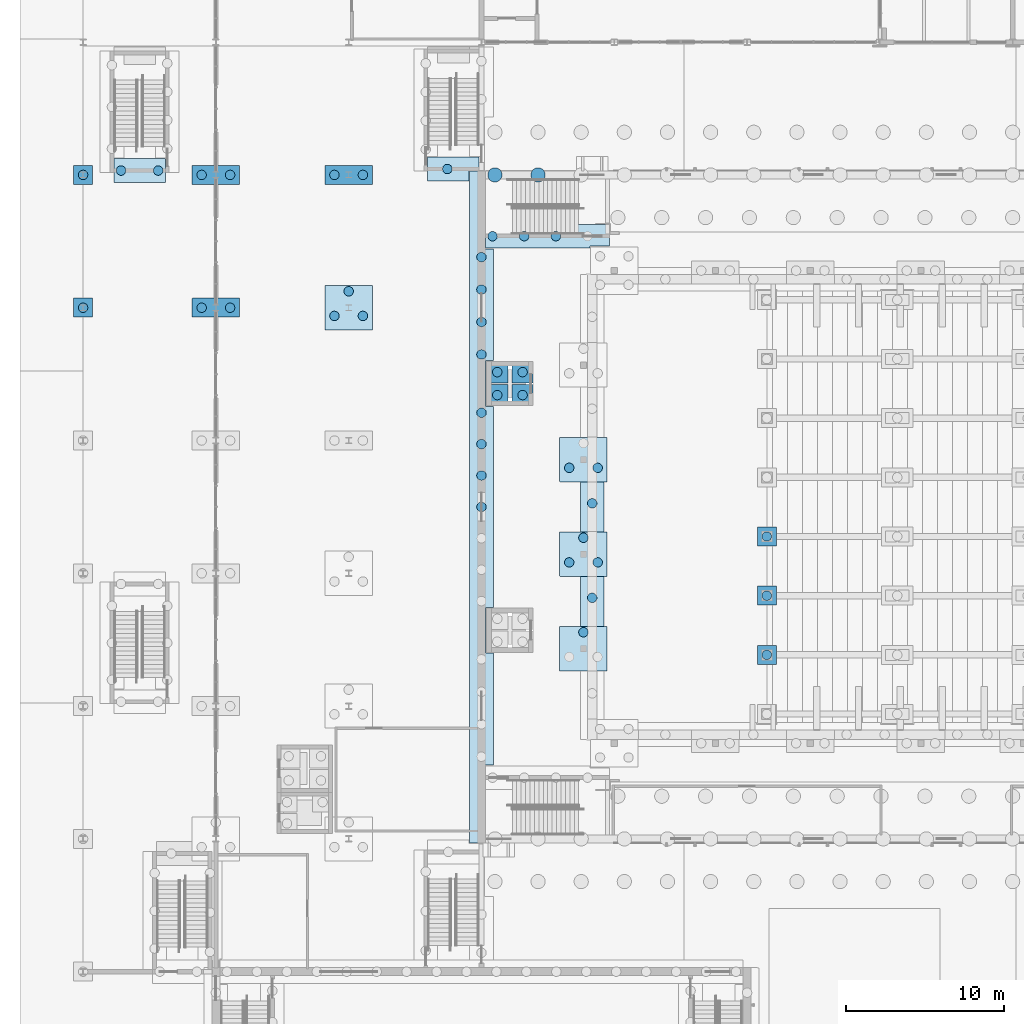
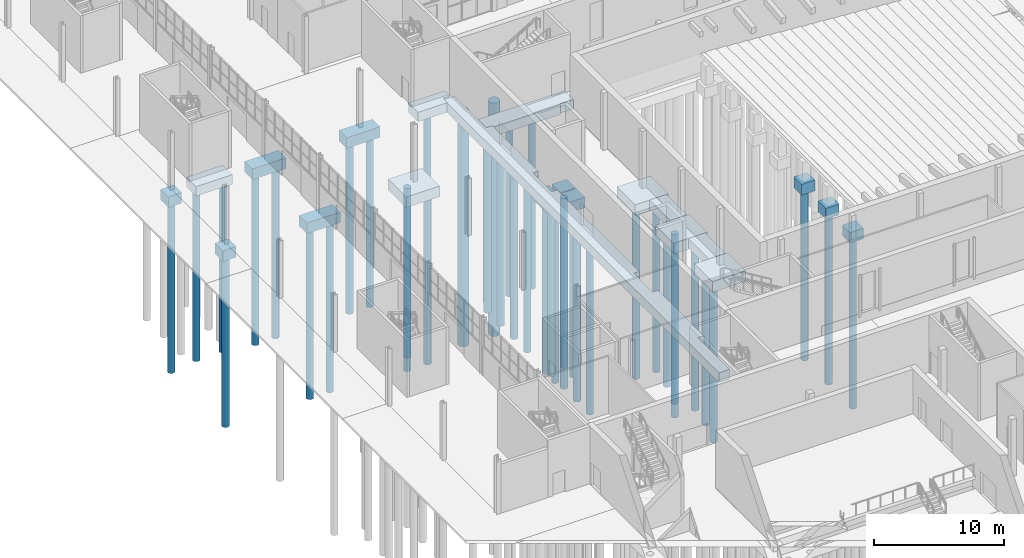
# One storey, part 10 of 127: 42 piles, 22 footings.
"""IFC4 building model written with IfcOpenShell, lengths in metres."""

from ifc_helpers import new_model, si_unit, direction, frame, origin, origin_2d, place, context, subcontext, project, spatial, polyline, circle, outline, extrude, material, layer, layer_set, material_profile, profile_set, type_object, element, save


model = new_model("IFC4")

# Units and contexts
model_context = context("Model", 3, precision=1e-05, world=origin(), true_north=direction((0.0, 1.0)))
body_context = subcontext(model_context, "Body", "Model", "MODEL_VIEW")
ifc_project = project(units=[si_unit("LENGTHUNIT", "METRE"), si_unit("AREAUNIT", "SQUARE_METRE"), si_unit("VOLUMEUNIT", "CUBIC_METRE"), si_unit("PLANEANGLEUNIT", "RADIAN"), si_unit("MASSUNIT", "GRAM", prefix="KILO")], contexts=[model_context])

# Site, building, storey
site_placement = place(None, origin())
site = spatial("IfcSite", under=ifc_project, at=site_placement, CompositionType="ELEMENT")
building_placement = place(site_placement, origin())
building = spatial("IfcBuilding", under=site, at=building_placement, Name="Ljudholm Concert House", CompositionType="ELEMENT")
storey_placement = place(building_placement, origin())
storey = spatial("IfcBuildingStorey", under=building, at=storey_placement, Name="L00", CompositionType="ELEMENT", Elevation=0.0)

# Piles
ifc_material_1 = material(Name="Concrete 5,000 psi", Category="concrete")
ifc_material_profile_1 = material_profile(ifc_material_1, circle(Radius=0.300048828125, at=origin_2d()), Name="AUGER-CAST PILE D600")
ifc_profile_set_1 = profile_set([ifc_material_profile_1], Name="Concrete 5,000 psi")
pile_type_1 = type_object("IfcPileType", Name="AUGER-CAST PILE D600", PredefinedType="BORED", material=ifc_profile_set_1)
for number, where, z_axis, x_axis, name in (
    (1, (4.0, 88.0, -1.199951171875), (0.0, 0.0, -1.0), (1.0, 0.0, 0.0), "Pile D600"),
    (2, (4.0, 96.39990234375, -1.199951171875), (0.0, 0.0, -1.0), (1.0, 0.0, 0.0), "Pile D600"),
    (3, (11.5, 88.0, -1.199951171875), (0.0, 0.0, -1.0), (1.0, 0.0, 0.0), "Pile D600"),
    (4, (13.300048828125, 88.0, -1.199951171875), (0.0, 0.0, -1.0), (1.0, 0.0, 0.0), "Pile D600"),
    (5, (11.5, 96.39990234375, -1.199951171875), (0.0, 0.0, -1.0), (1.0, 0.0, 0.0), "Pile D600"),
    (6, (13.300048828125, 96.39990234375, -1.199951171875), (0.0, 0.0, -1.0), (1.0, 0.0, 0.0), "Pile D600"),
    (7, (19.89990234375, 87.48046875, -1.199951171875), (0.0, 0.0, -1.0), (1.0, 0.0, 0.0), "Pile D600"),
    (8, (21.699951171875, 87.48046875, -1.199951171875), (0.0, 0.0, -1.0), (1.0, 0.0, 0.0), "Pile D600"),
    (9, (20.800048828125, 89.039306640625, -1.199951171875), (0.0, 0.0, -1.0), (1.0, 0.0, 0.0), "Pile D600"),
    (10, (19.89990234375, 96.39990234375, -1.199951171875), (0.0, 0.0, -1.0), (1.0, 0.0, 0.0), "Pile D600"),
    (11, (21.699951171875, 96.39990234375, -1.199951171875), (0.0, 0.0, -1.0), (1.0, 0.0, 0.0), "Pile D600"),
    (12, (35.64990234375, 67.46923828125, -1.300048828125), (0.0, 0.0, -1.0), (1.0, 0.0, 0.0), "Pile D600"),
    (13, (34.75, 71.890380859375, -1.300048828125), (0.0, 0.0, -1.0), (1.0, 0.0, 0.0), "Pile D600"),
    (14, (36.550048828125, 71.890380859375, -1.300048828125), (0.0, 0.0, -1.0), (1.0, 0.0, 0.0), "Pile D600"),
    (15, (35.64990234375, 73.44921875, -1.300048828125), (0.0, 0.0, -1.0), (1.0, 0.0, 0.0), "Pile D600"),
    (16, (34.75, 77.870361328125, -1.300048828125), (0.0, 0.0, -1.0), (1.0, 0.0, 0.0), "Pile D600"),
    (17, (36.550048828125, 77.870361328125, -1.300048828125), (0.0, 0.0, -1.0), (1.0, 0.0, 0.0), "Pile D600"),
    (18, (47.25, 66.04296875, -1.300048828125), (0.0, 0.0, -1.0), (1.0, 0.0, 0.0), "Pile D600"),
    (19, (47.25, 69.78564453125, -1.300048828125), (0.0, 0.0, -1.0), (1.0, 0.0, 0.0), "Pile D600"),
    (20, (47.25, 73.528564453125, -1.300048828125), (0.0, 0.0, -1.0), (1.0, 0.0, 0.0), "Pile D600"),
    (21, (30.199951171875, 82.47509765625, -2.89990234375), (0.0, 0.0, -1.0), (1.0, 0.0, 0.0), "Pile D600"),
    (22, (31.800048828125, 82.47509765625, -2.89990234375), (0.0, 0.0, -1.0), (1.0, 0.0, 0.0), "Pile D600"),
    (23, (30.199951171875, 83.925048828125, -2.89990234375), (0.0, 0.0, -1.0), (1.0, 0.0, 0.0), "Pile D600"),
    (24, (31.800048828125, 83.925048828125, -2.89990234375), (0.0, 0.0, -1.0), (1.0, 0.0, 0.0), "Pile D600"),
    (25, (29.89990234375, 92.52490234375, -1.39990234375), (0.0, 0.0, -1.0), (1.0, 0.0, 0.0), "Pile D600"),
    (26, (31.903564453125, 92.52490234375, -1.39990234375), (0.0, 0.0, -1.0), (1.0, 0.0, 0.0), "Pile D600"),
    (27, (33.906982421875, 92.52490234375, -1.39990234375), (0.0, 0.0, -1.0), (1.0, 0.0, 0.0), "Pile D600"),
    (28, (36.199951171875, 69.648193359375, -1.199951171875), (0.0, 0.0, -1.0), (1.0, 0.0, 0.0), "Pile D600"),
    (29, (36.199951171875, 75.628173828125, -1.199951171875), (0.0, 0.0, -1.0), (1.0, 0.0, 0.0), "Pile D600"),
    (30, (29.199951171875, 75.39990234375, -1.199951171875), (0.0, 0.0, -1.0), (1.0, 0.0, 0.0), "Pile D600"),
    (31, (29.199951171875, 77.3857421875, -1.199951171875), (0.0, 0.0, -1.0), (1.0, 0.0, 0.0), "Pile D600"),
    (32, (29.199951171875, 79.37158203125, -1.199951171875), (0.0, 0.0, -1.0), (1.0, 0.0, 0.0), "Pile D600"),
    (33, (29.199951171875, 81.357177734375, -1.199951171875), (0.0, 0.0, -1.0), (1.0, 0.0, 0.0), "Pile D600"),
    (34, (29.199951171875, 85.042724609375, -1.199951171875), (0.0, 0.0, -1.0), (1.0, 0.0, 0.0), "Pile D600"),
    (35, (29.199951171875, 87.0947265625, -1.199951171875), (0.0, 0.0, -1.0), (1.0, 0.0, 0.0), "Pile D600"),
    (36, (29.199951171875, 89.146728515625, -1.199951171875), (0.0, 0.0, -1.0), (1.0, 0.0, 0.0), "Pile D600"),
    (37, (29.199951171875, 91.198486328125, -1.199951171875), (0.0, 0.0, -1.0), (1.0, 0.0, 0.0), "Pile D600"),
    (38, (27.041015625, 96.77490234375, -1.10009765625), (0.0, 0.0, -1.0), (1.0, 0.0, 0.0), "Pile D600"),
    (39, (6.39990234375, 96.675048828125, -1.10009765625), (0.0, 0.0, -1.0), (1.0, 0.0, 0.0), "Pile D600"),
    (40, (8.75, 96.675048828125, -1.10009765625), (0.0, 0.0, -1.0), (1.0, 0.0, 0.0), "Pile D600"),
):
    element("IfcPile", number, at=place(storey_placement, frame(where, z_axis=z_axis, x_axis=x_axis)), inside=storey, type_object=pile_type_1, Name=name, PredefinedType="BORED", context=body_context, shape_type="SweptSolid", body=[
        extrude(circle(Radius=0.300048828125, at=origin_2d()), origin(), (0.0, 0.0, 1.0), 16.0),
    ])
ifc_material_2 = material(Name="Concrete 5,000 psi", Category="concrete")
ifc_material_profile_2 = material_profile(ifc_material_2, circle(Radius=0.449951171875, at=origin_2d()), Name="AUGER-CAST PILE D900")
ifc_profile_set_2 = profile_set([ifc_material_profile_2], Name="Concrete 5,000 psi")
pile_type_2 = type_object("IfcPileType", Name="AUGER-CAST PILE D900", PredefinedType="BORED", material=ifc_profile_set_2)
for number, where, z_axis, x_axis, name in (
    (41, (30.050048828125, 96.39990234375, -1.699951171875), (0.0, 0.0, -1.0), (1.0, 0.0, 0.0), "Pile D900"),
    (42, (32.779052734375, 96.39990234375, -1.699951171875), (0.0, 0.0, -1.0), (1.0, 0.0, 0.0), "Pile D900"),
):
    element("IfcPile", number, at=place(storey_placement, frame(where, z_axis=z_axis, x_axis=x_axis)), inside=storey, type_object=pile_type_2, Name=name, PredefinedType="BORED", context=body_context, shape_type="SweptSolid", body=[
        extrude(circle(Radius=0.449951171875, at=origin_2d()), origin(), (0.0, 0.0, 1.0), 22.0),
    ])

# Footings
ifc_material_3 = material(Name="Concrete 5,000 psi", Category="concrete")
ifc_layer_1 = layer(ifc_material_3, 1.0)
ifc_layer_set_1 = layer_set([ifc_layer_1], Name="Concrete 5,000 psi")
footing_type_1 = type_object("IfcFootingType", Name="RC PILE CAP 1200x1200x1000", PredefinedType="PILE_CAP", material=ifc_layer_set_1)
footing_1_placement = place(storey_placement, frame((0.0, 0.0, -1.199951171875)))
element("IfcFooting", 43, at=footing_1_placement, inside=storey, type_object=footing_type_1, Name="Pile cap", PredefinedType="PILE_CAP", context=body_context, shape_type="SweptSolid", body=[
    extrude(outline(polyline([(3.409912109375, 87.39990234375), (4.590087890625, 87.39990234375), (4.59375, 87.40087890625), (4.59716796875, 87.40283203125), (4.59912109375, 87.40625), (4.60009765625, 87.409912109375), (4.60009765625, 88.590087890625), (4.59912109375, 88.59375), (4.59716796875, 88.59716796875), (4.59375, 88.59912109375), (4.590087890625, 88.60009765625), (3.409912109375, 88.60009765625), (3.40625, 88.59912109375), (3.40283203125, 88.59716796875), (3.40087890625, 88.59375), (3.39990234375, 88.590087890625), (3.39990234375, 87.409912109375), (3.40087890625, 87.40625), (3.40283203125, 87.40283203125), (3.40625, 87.40087890625), (3.409912109375, 87.39990234375)])), origin(), (0.0, 0.0, 1.0), 1.0),
])
footing_2_placement = place(storey_placement, frame((0.0, 0.0, -1.199951171875)))
element("IfcFooting", 44, at=footing_2_placement, inside=storey, type_object=footing_type_1, Name="Pile cap", PredefinedType="PILE_CAP", context=body_context, shape_type="SweptSolid", body=[
    extrude(outline(polyline([(3.39990234375, 96.989990234375), (3.39990234375, 95.81005859375), (3.40087890625, 95.80615234375), (3.40283203125, 95.802978515625), (3.40625, 95.80078125), (3.409912109375, 95.800048828125), (4.590087890625, 95.800048828125), (4.59375, 95.80078125), (4.59716796875, 95.802978515625), (4.59912109375, 95.80615234375), (4.60009765625, 95.81005859375), (4.60009765625, 96.989990234375), (4.59912109375, 96.993896484375), (4.59716796875, 96.9970703125), (4.59375, 96.999267578125), (4.590087890625, 97.0), (3.409912109375, 97.0), (3.40625, 96.999267578125), (3.40283203125, 96.9970703125), (3.40087890625, 96.993896484375), (3.39990234375, 96.989990234375)])), origin(), (0.0, 0.0, 1.0), 1.0),
])
footing_3_placement = place(storey_placement, frame((0.0, 0.0, -1.300048828125)))
element("IfcFooting", 45, at=footing_3_placement, inside=storey, type_object=footing_type_1, Name="Pile cap", PredefinedType="PILE_CAP", context=body_context, shape_type="SweptSolid", body=[
    extrude(outline(polyline([(46.659912109375, 65.44287109375), (47.840087890625, 65.44287109375), (47.84375, 65.443603515625), (47.84716796875, 65.44580078125), (47.84912109375, 65.448974609375), (47.85009765625, 65.452880859375), (47.85009765625, 66.6328125), (47.84912109375, 66.63671875), (47.84716796875, 66.639892578125), (47.84375, 66.64208984375), (47.840087890625, 66.642822265625), (46.659912109375, 66.642822265625), (46.65625, 66.64208984375), (46.65283203125, 66.639892578125), (46.65087890625, 66.63671875), (46.64990234375, 66.6328125), (46.64990234375, 65.452880859375), (46.65087890625, 65.448974609375), (46.65283203125, 65.44580078125), (46.65625, 65.443603515625), (46.659912109375, 65.44287109375)])), origin(), (0.0, 0.0, 1.0), 1.0),
])
footing_4_placement = place(storey_placement, frame((0.0, 0.0, -1.300048828125)))
element("IfcFooting", 46, at=footing_4_placement, inside=storey, type_object=footing_type_1, Name="Pile cap", PredefinedType="PILE_CAP", context=body_context, shape_type="SweptSolid", body=[
    extrude(outline(polyline([(46.659912109375, 69.185791015625), (47.840087890625, 69.185791015625), (47.84375, 69.1865234375), (47.84716796875, 69.188720703125), (47.84912109375, 69.19189453125), (47.85009765625, 69.19580078125), (47.85009765625, 70.375732421875), (47.84912109375, 70.379638671875), (47.84716796875, 70.3828125), (47.84375, 70.385009765625), (47.840087890625, 70.3857421875), (46.659912109375, 70.3857421875), (46.65625, 70.385009765625), (46.65283203125, 70.3828125), (46.65087890625, 70.379638671875), (46.64990234375, 70.375732421875), (46.64990234375, 69.19580078125), (46.65087890625, 69.19189453125), (46.65283203125, 69.188720703125), (46.65625, 69.1865234375), (46.659912109375, 69.185791015625)])), origin(), (0.0, 0.0, 1.0), 1.0),
])
footing_5_placement = place(storey_placement, frame((0.0, 0.0, -1.300048828125)))
element("IfcFooting", 47, at=footing_5_placement, inside=storey, type_object=footing_type_1, Name="Pile cap", PredefinedType="PILE_CAP", context=body_context, shape_type="SweptSolid", body=[
    extrude(outline(polyline([(46.659912109375, 72.928466796875), (47.840087890625, 72.928466796875), (47.84375, 72.929443359375), (47.84716796875, 72.931396484375), (47.84912109375, 72.934814453125), (47.85009765625, 72.9384765625), (47.85009765625, 74.11865234375), (47.84912109375, 74.122314453125), (47.84716796875, 74.125732421875), (47.84375, 74.1279296875), (47.840087890625, 74.128662109375), (46.659912109375, 74.128662109375), (46.65625, 74.1279296875), (46.65283203125, 74.125732421875), (46.65087890625, 74.122314453125), (46.64990234375, 74.11865234375), (46.64990234375, 72.9384765625), (46.65087890625, 72.934814453125), (46.65283203125, 72.931396484375), (46.65625, 72.929443359375), (46.659912109375, 72.928466796875)])), origin(), (0.0, 0.0, 1.0), 1.0),
])
ifc_material_4 = material(Name="Concrete 5,000 psi", Category="concrete")
ifc_layer_2 = layer(ifc_material_4, 1.0)
ifc_layer_set_2 = layer_set([ifc_layer_2], Name="Concrete 5,000 psi")
footing_type_2 = type_object("IfcFootingType", Name="RC PILE CAP 1350x1350x1000", PredefinedType="PILE_CAP", material=ifc_layer_set_2)
footing_6_placement = place(storey_placement, frame((0.0, 0.0, -2.89990234375)))
element("IfcFooting", 48, at=footing_6_placement, inside=storey, type_object=footing_type_2, Name="Pile cap", PredefinedType="PILE_CAP", context=body_context, shape_type="SweptSolid", body=[
    extrude(outline(polyline([(29.534912109375, 81.800048828125), (30.864990234375, 81.800048828125), (30.868896484375, 81.80078125), (30.8720703125, 81.802978515625), (30.874267578125, 81.80615234375), (30.875, 81.81005859375), (30.875, 83.139892578125), (30.874267578125, 83.143798828125), (30.8720703125, 83.14697265625), (30.868896484375, 83.149169921875), (30.864990234375, 83.14990234375), (29.534912109375, 83.14990234375), (29.53125, 83.149169921875), (29.52783203125, 83.14697265625), (29.52587890625, 83.143798828125), (29.52490234375, 83.139892578125), (29.52490234375, 81.81005859375), (29.52587890625, 81.80615234375), (29.52783203125, 81.802978515625), (29.53125, 81.80078125), (29.534912109375, 81.800048828125)])), origin(), (0.0, 0.0, 1.0), 1.0),
])
footing_7_placement = place(storey_placement, frame((0.0, 0.0, -2.89990234375)))
element("IfcFooting", 49, at=footing_7_placement, inside=storey, type_object=footing_type_2, Name="Pile cap", PredefinedType="PILE_CAP", context=body_context, shape_type="SweptSolid", body=[
    extrude(outline(polyline([(31.135009765625, 81.800048828125), (32.465087890625, 81.800048828125), (32.46875, 81.80078125), (32.47216796875, 81.802978515625), (32.47412109375, 81.80615234375), (32.47509765625, 81.81005859375), (32.47509765625, 83.139892578125), (32.47412109375, 83.143798828125), (32.47216796875, 83.14697265625), (32.46875, 83.149169921875), (32.465087890625, 83.14990234375), (31.135009765625, 83.14990234375), (31.131103515625, 83.149169921875), (31.1279296875, 83.14697265625), (31.125732421875, 83.143798828125), (31.125, 83.139892578125), (31.125, 81.81005859375), (31.125732421875, 81.80615234375), (31.1279296875, 81.802978515625), (31.131103515625, 81.80078125), (31.135009765625, 81.800048828125)])), origin(), (0.0, 0.0, 1.0), 1.0),
])
footing_8_placement = place(storey_placement, frame((0.0, 0.0, -2.89990234375)))
element("IfcFooting", 50, at=footing_8_placement, inside=storey, type_object=footing_type_2, Name="Pile cap", PredefinedType="PILE_CAP", context=body_context, shape_type="SweptSolid", body=[
    extrude(outline(polyline([(29.534912109375, 83.25), (30.864990234375, 83.25), (30.868896484375, 83.250732421875), (30.8720703125, 83.2529296875), (30.874267578125, 83.256103515625), (30.875, 83.260009765625), (30.875, 84.590087890625), (30.874267578125, 84.59375), (30.8720703125, 84.59716796875), (30.868896484375, 84.59912109375), (30.864990234375, 84.60009765625), (29.534912109375, 84.60009765625), (29.53125, 84.59912109375), (29.52783203125, 84.59716796875), (29.52587890625, 84.59375), (29.52490234375, 84.590087890625), (29.52490234375, 83.260009765625), (29.52587890625, 83.256103515625), (29.52783203125, 83.2529296875), (29.53125, 83.250732421875), (29.534912109375, 83.25)])), origin(), (0.0, 0.0, 1.0), 1.0),
])
footing_9_placement = place(storey_placement, frame((0.0, 0.0, -2.89990234375)))
element("IfcFooting", 51, at=footing_9_placement, inside=storey, type_object=footing_type_2, Name="Pile cap", PredefinedType="PILE_CAP", context=body_context, shape_type="SweptSolid", body=[
    extrude(outline(polyline([(31.135009765625, 83.25), (32.465087890625, 83.25), (32.46875, 83.250732421875), (32.47216796875, 83.2529296875), (32.47412109375, 83.256103515625), (32.47509765625, 83.260009765625), (32.47509765625, 84.590087890625), (32.47412109375, 84.59375), (32.47216796875, 84.59716796875), (32.46875, 84.59912109375), (32.465087890625, 84.60009765625), (31.135009765625, 84.60009765625), (31.131103515625, 84.59912109375), (31.1279296875, 84.59716796875), (31.125732421875, 84.59375), (31.125, 84.590087890625), (31.125, 83.260009765625), (31.125732421875, 83.256103515625), (31.1279296875, 83.2529296875), (31.131103515625, 83.250732421875), (31.135009765625, 83.25)])), origin(), (0.0, 0.0, 1.0), 1.0),
])
ifc_material_5 = material(Name="Concrete 5,000 psi", Category="concrete")
ifc_layer_3 = layer(ifc_material_5, 1.0)
ifc_layer_set_3 = layer_set([ifc_layer_3], Name="Concrete 5,000 psi")
footing_type_3 = type_object("IfcFootingType", Name="RC PILE CAP 3000x1200x1000", PredefinedType="PILE_CAP", material=ifc_layer_set_3)
footing_10_placement = place(storey_placement, frame((0.0, 0.0, -1.199951171875)))
element("IfcFooting", 52, at=footing_10_placement, inside=storey, type_object=footing_type_3, Name="Pile cap", PredefinedType="PILE_CAP", context=body_context, shape_type="SweptSolid", body=[
    extrude(outline(polyline([(10.909912109375, 87.39990234375), (13.889892578125, 87.39990234375), (13.893798828125, 87.40087890625), (13.898193359375, 87.404541015625), (13.89990234375, 87.409912109375), (13.89990234375, 88.590087890625), (13.899169921875, 88.59375), (13.8955078125, 88.598388671875), (13.889892578125, 88.60009765625), (10.909912109375, 88.60009765625), (10.90625, 88.59912109375), (10.901611328125, 88.595458984375), (10.89990234375, 88.590087890625), (10.89990234375, 87.409912109375), (10.90087890625, 87.40625), (10.90283203125, 87.40283203125), (10.90625, 87.40087890625), (10.909912109375, 87.39990234375)])), origin(), (0.0, 0.0, 1.0), 1.0),
])
footing_11_placement = place(storey_placement, frame((0.0, 0.0, -1.199951171875)))
element("IfcFooting", 53, at=footing_11_placement, inside=storey, type_object=footing_type_3, Name="Pile cap", PredefinedType="PILE_CAP", context=body_context, shape_type="SweptSolid", body=[
    extrude(outline(polyline([(10.89990234375, 96.989990234375), (10.89990234375, 95.81005859375), (10.901611328125, 95.804443359375), (10.90625, 95.80078125), (10.909912109375, 95.800048828125), (13.889892578125, 95.800048828125), (13.8955078125, 95.8017578125), (13.899169921875, 95.80615234375), (13.89990234375, 95.81005859375), (13.89990234375, 96.989990234375), (13.898193359375, 96.99560546875), (13.893798828125, 96.999267578125), (13.889892578125, 97.0), (10.909912109375, 97.0), (10.90625, 96.999267578125), (10.90283203125, 96.9970703125), (10.90087890625, 96.993896484375), (10.89990234375, 96.989990234375)])), origin(), (0.0, 0.0, 1.0), 1.0),
])
footing_12_placement = place(storey_placement, frame((0.0, 0.0, -1.199951171875)))
element("IfcFooting", 54, at=footing_12_placement, inside=storey, type_object=footing_type_3, Name="Pile cap", PredefinedType="PILE_CAP", context=body_context, shape_type="SweptSolid", body=[
    extrude(outline(polyline([(19.300048828125, 96.989990234375), (19.300048828125, 95.81005859375), (19.3017578125, 95.804443359375), (19.30615234375, 95.80078125), (19.31005859375, 95.800048828125), (22.2900390625, 95.800048828125), (22.295654296875, 95.8017578125), (22.29931640625, 95.80615234375), (22.300048828125, 95.81005859375), (22.300048828125, 96.989990234375), (22.29833984375, 96.99560546875), (22.2939453125, 96.999267578125), (22.2900390625, 97.0), (19.31005859375, 97.0), (19.30615234375, 96.999267578125), (19.302978515625, 96.9970703125), (19.30078125, 96.993896484375), (19.300048828125, 96.989990234375)])), origin(), (0.0, 0.0, 1.0), 1.0),
])
ifc_material_6 = material(Name="Concrete 5,000 psi", Category="concrete")
ifc_layer_4 = layer(ifc_material_6, 1.0)
ifc_layer_set_4 = layer_set([ifc_layer_4], Name="Concrete 5,000 psi")
footing_type_4 = type_object("IfcFootingType", Name="RC PILE CAP 3000x2800x1000", PredefinedType="PILE_CAP", material=ifc_layer_set_4)
footing_13_placement = place(storey_placement, frame((0.0, 0.0, -1.199951171875)))
element("IfcFooting", 55, at=footing_13_placement, inside=storey, type_object=footing_type_4, Name="Pile cap", PredefinedType="PILE_CAP", context=body_context, shape_type="SweptSolid", body=[
    extrude(outline(polyline([(19.31005859375, 86.60009765625), (22.2900390625, 86.60009765625), (22.2939453125, 86.600830078125), (22.297119140625, 86.60302734375), (22.29931640625, 86.606201171875), (22.300048828125, 86.610107421875), (22.300048828125, 89.389892578125), (22.29931640625, 89.393798828125), (22.297119140625, 89.39697265625), (22.2939453125, 89.399169921875), (22.2900390625, 89.39990234375), (19.31005859375, 89.39990234375), (19.30615234375, 89.399169921875), (19.302978515625, 89.39697265625), (19.30078125, 89.393798828125), (19.300048828125, 89.389892578125), (19.300048828125, 86.610107421875), (19.30078125, 86.606201171875), (19.302978515625, 86.60302734375), (19.30615234375, 86.600830078125), (19.31005859375, 86.60009765625)])), origin(), (0.0, 0.0, 1.0), 1.0),
])
footing_14_placement = place(storey_placement, frame((0.0, 0.0, -1.300048828125)))
element("IfcFooting", 56, at=footing_14_placement, inside=storey, type_object=footing_type_4, Name="Pile cap", PredefinedType="PILE_CAP", context=body_context, shape_type="SweptSolid", body=[
    extrude(outline(polyline([(34.14990234375, 67.820068359375), (34.14990234375, 65.0400390625), (34.15087890625, 65.0361328125), (34.15283203125, 65.032958984375), (34.15625, 65.03076171875), (34.159912109375, 65.030029296875), (37.139892578125, 65.030029296875), (37.143798828125, 65.03076171875), (37.14697265625, 65.032958984375), (37.149169921875, 65.0361328125), (37.14990234375, 65.0400390625), (37.14990234375, 67.820068359375), (37.149169921875, 67.82373046875), (37.14697265625, 67.8271484375), (37.143798828125, 67.829345703125), (37.139892578125, 67.830078125), (34.159912109375, 67.830078125), (34.15625, 67.829345703125), (34.15283203125, 67.8271484375), (34.15087890625, 67.82373046875), (34.14990234375, 67.820068359375)])), origin(), (0.0, 0.0, 1.0), 1.0),
])
footing_15_placement = place(storey_placement, frame((0.0, 0.0, -1.300048828125)))
element("IfcFooting", 57, at=footing_15_placement, inside=storey, type_object=footing_type_4, Name="Pile cap", PredefinedType="PILE_CAP", context=body_context, shape_type="SweptSolid", body=[
    extrude(outline(polyline([(34.159912109375, 71.010009765625), (37.139892578125, 71.010009765625), (37.143798828125, 71.0107421875), (37.14697265625, 71.012939453125), (37.149169921875, 71.01611328125), (37.14990234375, 71.02001953125), (37.14990234375, 73.800048828125), (37.149169921875, 73.8037109375), (37.14697265625, 73.80712890625), (37.143798828125, 73.809326171875), (37.139892578125, 73.81005859375), (34.159912109375, 73.81005859375), (34.15625, 73.809326171875), (34.15283203125, 73.80712890625), (34.15087890625, 73.8037109375), (34.14990234375, 73.800048828125), (34.14990234375, 71.02001953125), (34.15087890625, 71.01611328125), (34.15283203125, 71.012939453125), (34.15625, 71.0107421875), (34.159912109375, 71.010009765625)])), origin(), (0.0, 0.0, 1.0), 1.0),
])
footing_16_placement = place(storey_placement, frame((0.0, 0.0, -1.300048828125)))
element("IfcFooting", 58, at=footing_16_placement, inside=storey, type_object=footing_type_4, Name="Pile cap", PredefinedType="PILE_CAP", context=body_context, shape_type="SweptSolid", body=[
    extrude(outline(polyline([(34.159912109375, 76.989990234375), (37.139892578125, 76.989990234375), (37.143798828125, 76.99072265625), (37.14697265625, 76.992919921875), (37.149169921875, 76.99609375), (37.14990234375, 77.0), (37.14990234375, 79.780029296875), (37.149169921875, 79.783935546875), (37.14697265625, 79.787109375), (37.143798828125, 79.789306640625), (37.139892578125, 79.7900390625), (34.159912109375, 79.7900390625), (34.15625, 79.789306640625), (34.15283203125, 79.787109375), (34.15087890625, 79.783935546875), (34.14990234375, 79.780029296875), (34.14990234375, 77.0), (34.15087890625, 76.99609375), (34.15283203125, 76.992919921875), (34.15625, 76.99072265625), (34.159912109375, 76.989990234375)])), origin(), (0.0, 0.0, 1.0), 1.0),
])
ifc_material_7 = material(Name="Concrete 5,000 psi", Category="concrete")
ifc_layer_5 = layer(ifc_material_7, 0.89990234375)
ifc_layer_set_5 = layer_set([ifc_layer_5], Name="Concrete 5,000 psi")
footing_type_5 = type_object("IfcFootingType", Name="RC STRIP FOOTING 1500x900", PredefinedType="STRIP_FOOTING", material=ifc_layer_set_5)
footing_17_placement = place(storey_placement, frame((0.0, 0.0, -1.39990234375)))
element("IfcFooting", 59, at=footing_17_placement, inside=storey, type_object=footing_type_5, Name="Strip footing", PredefinedType="STRIP_FOOTING", context=body_context, shape_type="SweptSolid", body=[
    extrude(outline(polyline([(29.4599609375, 91.77490234375), (36.0400390625, 91.77490234375), (36.0439453125, 91.77587890625), (36.04638671875, 91.77734375), (36.04833984375, 91.779541015625), (36.0498046875, 91.782958984375), (36.050048828125, 91.890869140625), (36.05126953125, 91.894775390625), (36.052978515625, 91.89697265625), (36.05615234375, 91.899169921875), (36.05908203125, 91.89990234375), (37.2919921875, 91.900146484375), (37.294677734375, 91.901123046875), (37.2978515625, 91.903564453125), (37.299560546875, 91.906982421875), (37.300048828125, 91.909912109375), (37.2998046875, 93.266845703125), (37.29833984375, 93.2705078125), (37.29638671875, 93.272705078125), (37.2939453125, 93.274169921875), (37.2900390625, 93.27490234375), (29.4580078125, 93.27490234375), (29.455322265625, 93.27392578125), (29.4521484375, 93.271240234375), (29.45068359375, 93.268798828125), (29.449951171875, 93.264892578125), (29.449951171875, 91.784912109375), (29.45068359375, 91.78125), (29.452880859375, 91.77783203125), (29.4560546875, 91.77587890625), (29.4599609375, 91.77490234375)])), origin(), (0.0, 0.0, 1.0), 0.89990234375),
])
footing_18_placement = place(storey_placement, frame((0.0, 0.0, -1.199951171875)))
element("IfcFooting", 60, at=footing_18_placement, inside=storey, type_object=footing_type_5, Name="Strip footing", PredefinedType="STRIP_FOOTING", context=body_context, shape_type="SweptSolid", body=[
    extrude(outline(polyline([(35.449951171875, 71.0), (35.449951171875, 67.840087890625), (35.45068359375, 67.836181640625), (35.454345703125, 67.831787109375), (35.4599609375, 67.830078125), (36.93994140625, 67.830078125), (36.94384765625, 67.830810546875), (36.9482421875, 67.83447265625), (36.949951171875, 67.840087890625), (36.949951171875, 71.0), (36.94921875, 71.00390625), (36.945556640625, 71.00830078125), (36.93994140625, 71.010009765625), (35.4599609375, 71.010009765625), (35.4560546875, 71.00927734375), (35.452880859375, 71.007080078125), (35.45068359375, 71.00390625), (35.449951171875, 71.0)])), origin(), (0.0, 0.0, 1.0), 0.89990234375),
])
footing_19_placement = place(storey_placement, frame((0.0, 0.0, -1.199951171875)))
element("IfcFooting", 61, at=footing_19_placement, inside=storey, type_object=footing_type_5, Name="Strip footing", PredefinedType="STRIP_FOOTING", context=body_context, shape_type="SweptSolid", body=[
    extrude(outline(polyline([(35.449951171875, 76.97998046875), (35.449951171875, 73.820068359375), (35.45068359375, 73.816162109375), (35.454345703125, 73.811767578125), (35.4599609375, 73.81005859375), (36.93994140625, 73.81005859375), (36.94384765625, 73.810791015625), (36.9482421875, 73.814453125), (36.949951171875, 73.820068359375), (36.949951171875, 76.97998046875), (36.94921875, 76.98388671875), (36.945556640625, 76.98828125), (36.93994140625, 76.989990234375), (35.4599609375, 76.989990234375), (35.4560546875, 76.9892578125), (35.452880859375, 76.987060546875), (35.45068359375, 76.98388671875), (35.449951171875, 76.97998046875)])), origin(), (0.0, 0.0, 1.0), 0.89990234375),
])
footing_20_placement = place(storey_placement, frame((0.0, 0.0, -1.199951171875)))
element("IfcFooting", 62, at=footing_20_placement, inside=storey, type_object=footing_type_5, Name="Strip footing", PredefinedType="STRIP_FOOTING", context=body_context, shape_type="SweptSolid", body=[
    extrude(outline(polyline([(28.449951171875, 96.639892578125), (28.449951171875, 54.159912109375), (28.45068359375, 54.15625), (28.452880859375, 54.15283203125), (28.4560546875, 54.15087890625), (28.4599609375, 54.14990234375), (29.389892578125, 54.14990234375), (29.393798828125, 54.15087890625), (29.39697265625, 54.15283203125), (29.399169921875, 54.15625), (29.39990234375, 54.159912109375), (29.400146484375, 59.06591796875), (29.401123046875, 59.06982421875), (29.403564453125, 59.07275390625), (29.406982421875, 59.074462890625), (29.41015625, 59.074951171875), (29.93994140625, 59.074951171875), (29.94384765625, 59.07568359375), (29.947021484375, 59.077880859375), (29.94921875, 59.0810546875), (29.949951171875, 59.0849609375), (29.949951171875, 66.139892578125), (29.94921875, 66.143798828125), (29.947021484375, 66.14697265625), (29.94384765625, 66.149169921875), (29.93994140625, 66.14990234375), (29.4853515625, 66.14990234375), (29.482177734375, 66.150390625), (29.478759765625, 66.15234375), (29.47607421875, 66.1552734375), (29.47509765625, 66.157958984375), (29.47509765625, 67.58984375), (29.477783203125, 67.6005859375), (29.47509765625, 67.6103515625), (29.47509765625, 69.039794921875), (29.475830078125, 69.043701171875), (29.47802734375, 69.047119140625), (29.481201171875, 69.04931640625), (29.4853515625, 69.050048828125), (29.93994140625, 69.050048828125), (29.94384765625, 69.05078125), (29.947021484375, 69.052978515625), (29.94921875, 69.05615234375), (29.949951171875, 69.06005859375), (29.949951171875, 81.739990234375), (29.94921875, 81.743896484375), (29.947021484375, 81.7470703125), (29.94384765625, 81.749267578125), (29.93994140625, 81.75), (29.4853515625, 81.75), (29.482177734375, 81.75048828125), (29.478759765625, 81.752197265625), (29.47607421875, 81.75537109375), (29.47509765625, 81.758056640625), (29.47509765625, 84.6396484375), (29.475830078125, 84.643798828125), (29.47802734375, 84.64697265625), (29.481201171875, 84.649169921875), (29.4853515625, 84.64990234375), (29.93994140625, 84.64990234375), (29.94384765625, 84.65087890625), (29.947021484375, 84.65283203125), (29.94873046875, 84.6552734375), (29.949951171875, 84.658935546875), (29.949951171875, 91.715087890625), (29.94921875, 91.71875), (29.947021484375, 91.72216796875), (29.94384765625, 91.72412109375), (29.93994140625, 91.72509765625), (29.41015625, 91.72509765625), (29.406982421875, 91.725341796875), (29.403564453125, 91.727294921875), (29.401123046875, 91.730224609375), (29.400146484375, 91.734130859375), (29.399658203125, 96.642822265625), (29.398193359375, 96.6455078125), (29.3955078125, 96.648193359375), (29.389892578125, 96.64990234375), (28.4599609375, 96.64990234375), (28.4560546875, 96.649169921875), (28.452880859375, 96.64697265625), (28.45068359375, 96.643798828125), (28.449951171875, 96.639892578125)])), origin(), (0.0, 0.0, 1.0), 0.89990234375),
])
footing_21_placement = place(storey_placement, frame((0.0, 0.0, -1.10009765625)))
element("IfcFooting", 63, at=footing_21_placement, inside=storey, type_object=footing_type_5, Name="Strip footing", PredefinedType="STRIP_FOOTING", context=body_context, shape_type="SweptSolid", body=[
    extrude(outline(polyline([(25.81005859375, 96.02490234375), (28.389892578125, 96.02490234375), (28.393798828125, 96.02587890625), (28.398193359375, 96.029541015625), (28.39990234375, 96.034912109375), (28.39990234375, 96.643798828125), (28.40380859375, 96.663330078125), (28.4169921875, 96.682861328125), (28.436767578125, 96.696044921875), (28.456298828125, 96.699951171875), (29.0400390625, 96.699951171875), (29.045654296875, 96.70166015625), (29.04931640625, 96.7060546875), (29.050048828125, 96.7099609375), (29.050048828125, 97.514892578125), (29.04931640625, 97.518798828125), (29.045654296875, 97.523193359375), (29.0400390625, 97.52490234375), (25.81005859375, 97.52490234375), (25.80615234375, 97.524169921875), (25.8017578125, 97.5205078125), (25.800048828125, 97.514892578125), (25.800048828125, 96.034912109375), (25.80078125, 96.03125), (25.802978515625, 96.02783203125), (25.80615234375, 96.02587890625), (25.81005859375, 96.02490234375)])), origin(), (0.0, 0.0, 1.0), 0.900146484375),
])
footing_22_placement = place(storey_placement, frame((0.0, 0.0, -1.10009765625)))
element("IfcFooting", 64, at=footing_22_placement, inside=storey, type_object=footing_type_5, Name="Strip footing", PredefinedType="STRIP_FOOTING", context=body_context, shape_type="SweptSolid", body=[
    extrude(outline(polyline([(5.9599609375, 95.925048828125), (9.18994140625, 95.925048828125), (9.19384765625, 95.92578125), (9.1982421875, 95.929443359375), (9.199951171875, 95.93505859375), (9.199951171875, 97.4150390625), (9.19921875, 97.4189453125), (9.195556640625, 97.42333984375), (9.18994140625, 97.425048828125), (5.9599609375, 97.425048828125), (5.9560546875, 97.42431640625), (5.95166015625, 97.420654296875), (5.949951171875, 97.4150390625), (5.949951171875, 95.93505859375), (5.95068359375, 95.93115234375), (5.952880859375, 95.927978515625), (5.9560546875, 95.92578125), (5.9599609375, 95.925048828125)])), origin(), (0.0, 0.0, 1.0), 0.900146484375),
])

save(model, "model.ifc")
